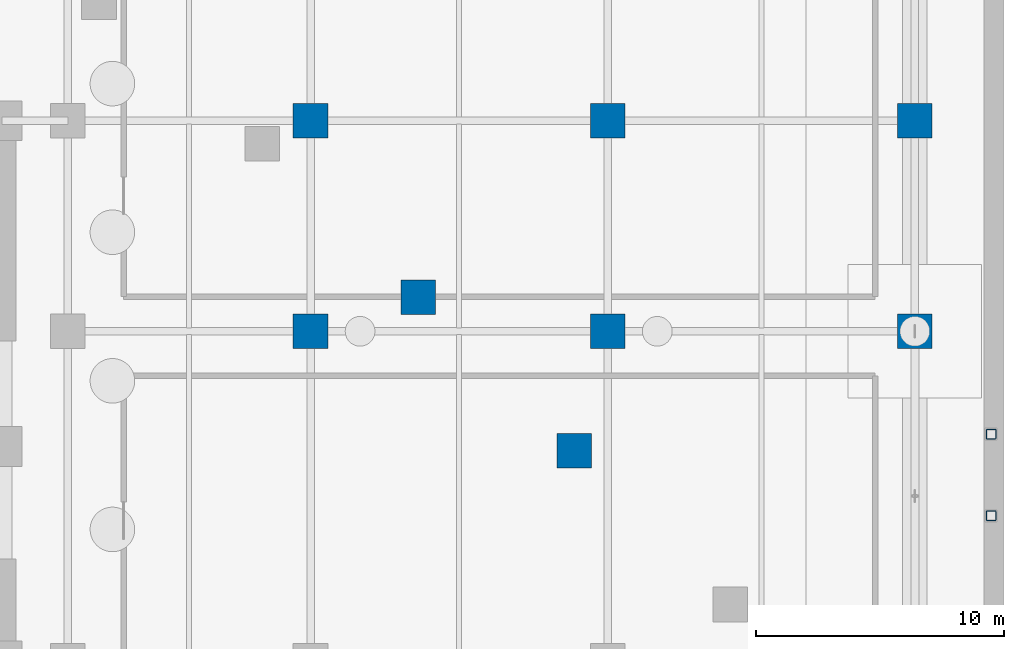
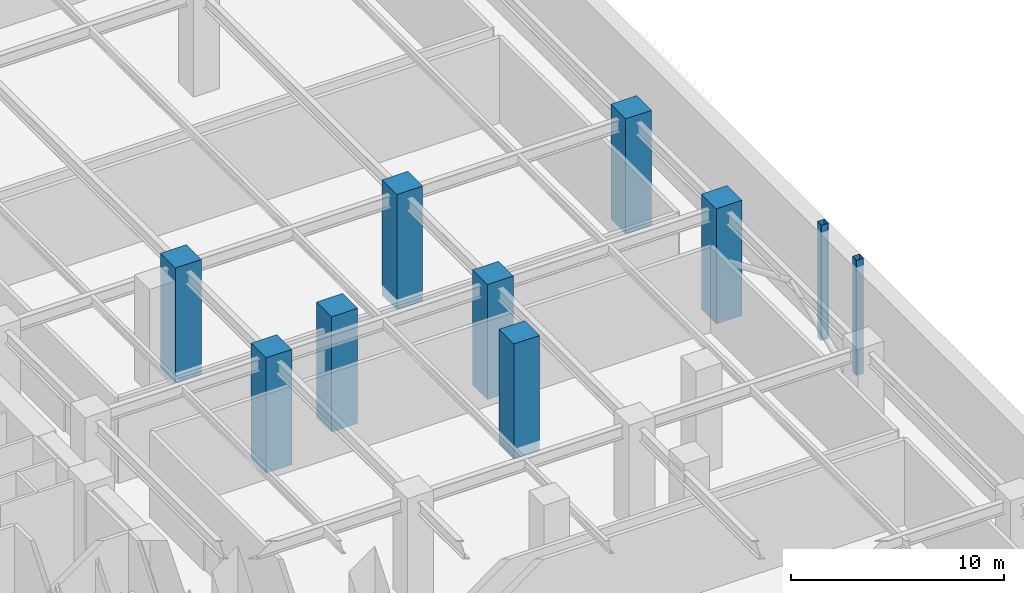
# One storey, part 7 of 37: 10 columns.
"""IFC4 building model written with IfcOpenShell, lengths in metres."""

from ifc_helpers import new_model, si_unit, direction, frame, origin, origin_2d, place, context, subcontext, project, spatial, rectangle, hollow_rectangle, extrude, material, material_profile, profile_set, type_object, element, save


model = new_model("IFC4")

# Units and contexts
model_context = context("Model", 3, precision=1e-05, world=origin(), true_north=direction((0.0, 1.0)))
body_context = subcontext(model_context, "Body", "Model", "MODEL_VIEW")
ifc_project = project(units=[si_unit("LENGTHUNIT", "METRE"), si_unit("AREAUNIT", "SQUARE_METRE"), si_unit("VOLUMEUNIT", "CUBIC_METRE"), si_unit("PLANEANGLEUNIT", "RADIAN"), si_unit("MASSUNIT", "GRAM", prefix="KILO")], contexts=[model_context])

# Site, building, storey
site_placement = place(None, origin())
site = spatial("IfcSite", under=ifc_project, at=site_placement, CompositionType="ELEMENT")
building_placement = place(site_placement, origin())
building = spatial("IfcBuilding", under=site, at=building_placement, Name="Narakoshi Arena Tower", CompositionType="ELEMENT")
storey_placement = place(building_placement, frame((0.0, 0.0, -6.0)))
storey = spatial("IfcBuildingStorey", under=building, at=storey_placement, Name="B01", CompositionType="ELEMENT", Elevation=-6.0)

# Columns
ifc_material_1 = material(Name="Concrete C60/75", Category="concrete")
ifc_material_profile_1 = material_profile(ifc_material_1, rectangle(XDim=1.39990234375, YDim=1.39990234375, at=origin_2d()), Name="RC1400x1400")
ifc_profile_set_1 = profile_set([ifc_material_profile_1], Name="Concrete C60/75")
column_type_1 = type_object("IfcColumnType", Name="COL-RC1400", PredefinedType="COLUMN", material=ifc_profile_set_1)
for number, where, z_axis, x_axis, name in (
    (1, (98.0, 48.0, -0.60009765625), (0.0, 0.0, 1.0), (1.0, 0.0, 0.0), "B01 Podium Column PC55"),
    (2, (98.0, 56.5, -0.60009765625), (0.0, 0.0, 1.0), (1.0, 0.0, 0.0), "B01 Podium Column PC56"),
    (3, (110.0, 48.0, -0.60009765625), (0.0, 0.0, 1.0), (1.0, 0.0, 0.0), "B01 Podium Column PC64"),
    (4, (110.0, 56.5, -0.60009765625), (0.0, 0.0, 1.0), (1.0, 0.0, 0.0), "B01 Podium Column PC65"),
    (5, (122.39990234375, 48.0, -0.60009765625), (0.0, 0.0, 1.0), (1.0, 0.0, 0.0), "B01 Podium Column PC73"),
    (6, (122.39990234375, 56.5, -0.60009765625), (0.0, 0.0, 1.0), (1.0, 0.0, 0.0), "B01 Podium Column PC74"),
    (7, (108.643798828125, 43.171875, -0.60009765625), (0.0, 0.0, 1.0), (1.0, 0.0, 0.0), "B01 Tower Plumb Pier B1P06"),
    (8, (102.345458984375, 49.373779296875, -0.60009765625), (0.0, 0.0, 1.0), (1.0, 0.0, 0.0), "B01 Tower Plumb Pier B1P07"),
):
    element("IfcColumn", number, at=place(storey_placement, frame(where, z_axis=z_axis, x_axis=x_axis)), inside=storey, type_object=column_type_1, Name=name, PredefinedType="COLUMN", context=body_context, shape_type="SweptSolid", body=[
        extrude(rectangle(XDim=1.39990234375, YDim=1.39990234375, at=origin_2d()), origin(), (0.0, 0.0, 1.0), 6.60009765625),
    ])
ifc_material_2 = material(Name="Structural steel S355J2", Category="steel")
ifc_material_profile_2 = material_profile(ifc_material_2, hollow_rectangle(XDim=0.39990234375, YDim=0.39990234375, WallThickness=0.02001953125, OuterFilletRadius=0.0400390625, at=origin_2d()), Name="SHS400x400x20")
ifc_profile_set_2 = profile_set([ifc_material_profile_2], Name="Structural steel S355J2")
column_type_2 = type_object("IfcColumnType", Name="COL-SHS400", PredefinedType="COLUMN", material=ifc_profile_set_2)
for number, where, z_axis, x_axis, name in (
    (9, (125.47998046875, 40.550048828125, -0.60009765625), (0.0, 0.0, 1.0), (1.0, 0.0, 0.0), "B01 Lobby Lintel Pier 06S"),
    (10, (125.47998046875, 43.85009765625, -0.60009765625), (0.0, 0.0, 1.0), (1.0, 0.0, 0.0), "B01 Lobby Lintel Pier 06N"),
):
    element("IfcColumn", number, at=place(storey_placement, frame(where, z_axis=z_axis, x_axis=x_axis)), inside=storey, type_object=column_type_2, Name=name, PredefinedType="COLUMN", context=body_context, shape_type="SweptSolid", body=[
        extrude(hollow_rectangle(XDim=0.39990234375, YDim=0.39990234375, WallThickness=0.02001953125, OuterFilletRadius=0.0400390625, at=origin_2d()), origin(), (0.0, 0.0, 1.0), 6.60009765625),
    ])

save(model, "model.ifc")
